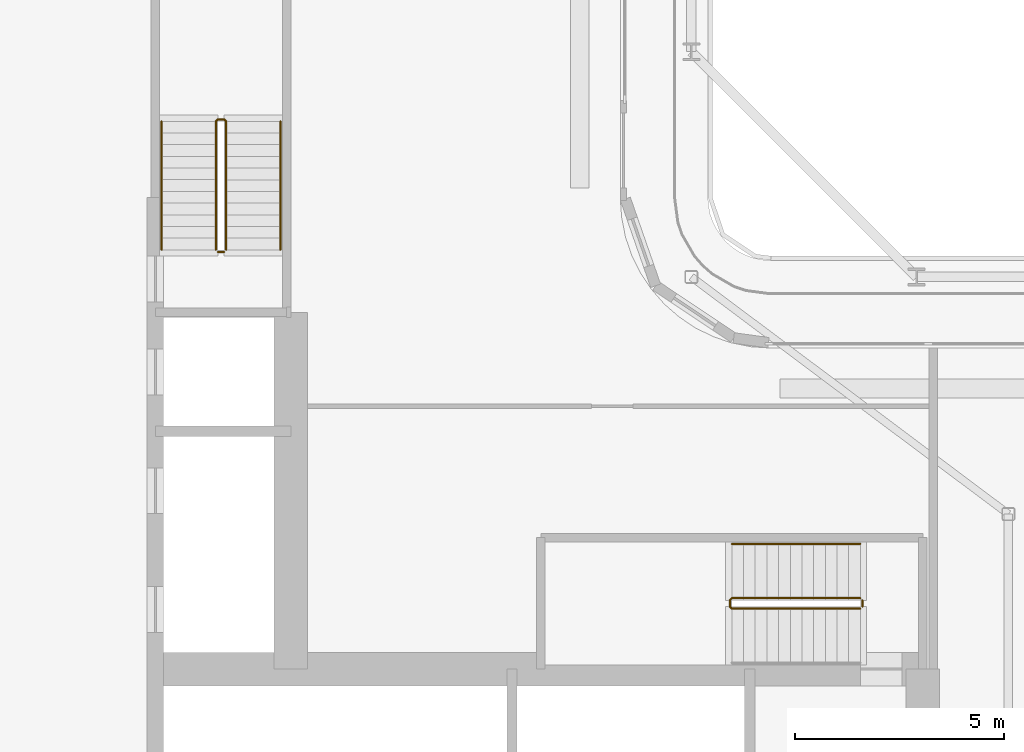
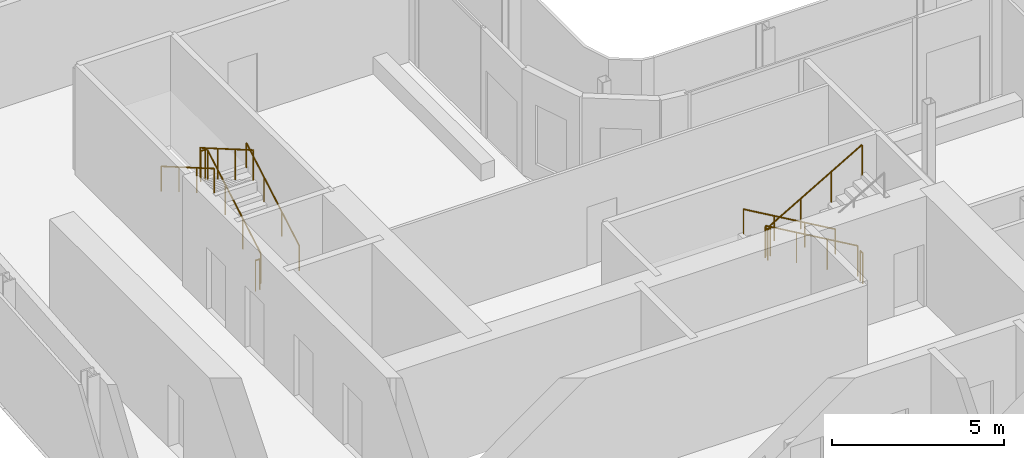
# One storey, part 24 of 29: 7 railings.
"""IFC4 building model written with IfcOpenShell, lengths in metres."""

from ifc_helpers import new_model, si_unit, direction, frame, origin, origin_2d, place, context, subcontext, project, spatial, circle, extrude, material, type_object, element, save


model = new_model("IFC4")

# Units and contexts
model_context = context("Model", 3, precision=1e-05, world=origin(), true_north=direction((0.0, 1.0)))
body_context = subcontext(model_context, "Body", "Model", "MODEL_VIEW")
ifc_project = project(units=[si_unit("LENGTHUNIT", "METRE"), si_unit("AREAUNIT", "SQUARE_METRE"), si_unit("VOLUMEUNIT", "CUBIC_METRE"), si_unit("PLANEANGLEUNIT", "RADIAN"), si_unit("MASSUNIT", "GRAM", prefix="KILO")], contexts=[model_context])

# Site, building, storey
site_placement = place(None, origin())
site = spatial("IfcSite", under=ifc_project, at=site_placement, CompositionType="ELEMENT")
building_placement = place(site_placement, origin())
building = spatial("IfcBuilding", under=site, at=building_placement, Name="Kheshtan School and Residences Tower", CompositionType="ELEMENT")
storey_placement = place(building_placement, frame((0.0, 0.0, 179.89990234375)))
storey = spatial("IfcBuildingStorey", under=building, at=storey_placement, Name="L42", CompositionType="ELEMENT", Elevation=179.89990234375)

# Railings
ifc_material_1 = material(Name="Stainless steel balustrade", Category="steel")
railing_type_1 = type_object("IfcRailingType", Name="Stair guard 1100", PredefinedType="GUARDRAIL", material=ifc_material_1)
railing_1_placement = place(storey_placement, frame((51.64990234375, 37.89990234375, 0.16259765625)))
element("IfcRailing", 1, at=railing_1_placement, inside=storey, type_object=railing_type_1, Name="L42 ST1 stair guard 1", PredefinedType="GUARDRAIL", context=body_context, shape_type="SweptSolid", body=[
    extrude(circle(Radius=0.02392578125, at=origin_2d()), frame((0.0, 0.0, 1.076171875), z_axis=(-0.864873446163, 0.0, 0.501989962173), x_axis=(0.0, -1.0, 0.0)), (0.0, 0.0, 1.0), 3.56103515625),
    extrude(circle(Radius=0.02392578125, at=origin_2d()), frame((-3.079833984375, 0.0, 2.86376953125), z_axis=(-0.708833529934, -0.705375805398, 0.0), x_axis=(0.705375805398, -0.708833529934, 0.0)), (0.0, 0.0, 1.0), 0.070556640625),
    extrude(circle(Radius=0.02392578125, at=origin_2d()), frame((-3.1298828125, -0.0498046875, 2.86376953125), z_axis=(0.0, -1.0, 0.0), x_axis=(1.0, 0.0, 0.0)), (0.0, 0.0, 1.0), 0.150146484375),
    extrude(circle(Radius=0.02392578125, at=origin_2d()), frame((-3.1298828125, -0.199951171875, 2.86376953125), z_axis=(0.282583949758, -0.282583949758, 0.916674763849), x_axis=(0.707106781187, 0.707106781187, 0.0)), (0.0, 0.0, 1.0), 0.177001953125),
    extrude(circle(Radius=0.02392578125, at=origin_2d()), frame((-3.079833984375, -0.25, 3.02587890625), z_axis=(0.864873446163, 0.0, 0.501989962173), x_axis=(0.0, 1.0, 0.0)), (0.0, 0.0, 1.0), 3.56103515625),
    extrude(circle(Radius=0.02099609375, at=origin_2d()), origin(), (0.0, 0.0, 1.0), 1.052001953125),
    extrude(circle(Radius=0.02099609375, at=origin_2d()), frame((-1.026611328125, 0.0, 0.595947265625)), (0.0, 0.0, 1.0), 1.052001953125),
    extrude(circle(Radius=0.02099609375, at=origin_2d()), frame((-2.05322265625, 0.0, 1.191650390625)), (0.0, 0.0, 1.0), 1.052001953125),
    extrude(circle(Radius=0.02099609375, at=origin_2d()), frame((-3.079833984375, 0.0, 1.78759765625)), (0.0, 0.0, 1.0), 1.052001953125),
    extrude(circle(Radius=0.02099609375, at=origin_2d()), frame((-3.1298828125, -0.0498046875, 1.78759765625)), (0.0, 0.0, 1.0), 1.052001953125),
    extrude(circle(Radius=0.02099609375, at=origin_2d()), frame((-3.1298828125, -0.199951171875, 1.78759765625)), (0.0, 0.0, 1.0), 1.052001953125),
    extrude(circle(Radius=0.02099609375, at=origin_2d()), frame((-3.079833984375, -0.25, 1.949951171875)), (0.0, 0.0, 1.0), 1.052001953125),
    extrude(circle(Radius=0.02099609375, at=origin_2d()), frame((-2.05322265625, -0.25, 2.5458984375)), (0.0, 0.0, 1.0), 1.052001953125),
    extrude(circle(Radius=0.02099609375, at=origin_2d()), frame((-1.026611328125, -0.25, 3.1416015625)), (0.0, 0.0, 1.0), 1.052001953125),
    extrude(circle(Radius=0.02099609375, at=origin_2d()), frame((0.0, -0.25, 3.737548828125)), (0.0, 0.0, 1.0), 1.052001953125),
])
railing_2_placement = place(storey_placement, frame((51.699951171875, 37.85009765625, 0.0)))
element("IfcRailing", 2, at=railing_2_placement, inside=storey, type_object=railing_type_1, Name="L42 ST1 stair guard 2", PredefinedType="GUARDRAIL", context=body_context, shape_type="SweptSolid", body=[
    extrude(circle(Radius=0.02392578125, at=origin_2d()), frame((0.0, 0.0, 1.076171875), z_axis=(0.0, -1.0, 0.0), x_axis=(1.0, 0.0, 0.0)), (0.0, 0.0, 1.0), 0.150146484375),
    extrude(circle(Radius=0.02099609375, at=origin_2d()), origin(), (0.0, 0.0, 1.0), 1.052001953125),
    extrude(circle(Radius=0.02099609375, at=origin_2d()), frame((0.0, -0.150146484375, 0.0)), (0.0, 0.0, 1.0), 1.052001953125),
])
railing_3_placement = place(storey_placement, frame((36.449951171875, 46.25, 0.16259765625)))
element("IfcRailing", 3, at=railing_3_placement, inside=storey, type_object=railing_type_1, Name="L42 ST2 stair guard 1", PredefinedType="GUARDRAIL", context=body_context, shape_type="SweptSolid", body=[
    extrude(circle(Radius=0.02392578125, at=origin_2d()), frame((0.0, 0.0, 1.076171875), z_axis=(0.0, 0.864890721111, 0.501960198159), x_axis=(-1.0, 0.0, 0.0)), (0.0, 0.0, 1.0), 3.561279296875),
    extrude(circle(Radius=0.02392578125, at=origin_2d()), frame((0.0, 3.080078125, 2.86376953125), z_axis=(-0.708833529934, 0.705375805398, 0.0), x_axis=(-0.705375805398, -0.708833529934, 0.0)), (0.0, 0.0, 1.0), 0.070556640625),
    extrude(circle(Radius=0.02392578125, at=origin_2d()), frame((-0.050048828125, 3.1298828125, 2.86376953125), z_axis=(-1.0, 0.0, 0.0), x_axis=(0.0, -1.0, 0.0)), (0.0, 0.0, 1.0), 0.14990234375),
    extrude(circle(Radius=0.02392578125, at=origin_2d()), frame((-0.199951171875, 3.1298828125, 2.86376953125), z_axis=(-0.282693820306, -0.281314826061, 0.917031173188), x_axis=(0.705375805398, -0.708833529934, 0.0)), (0.0, 0.0, 1.0), 0.177001953125),
    extrude(circle(Radius=0.02392578125, at=origin_2d()), frame((-0.25, 3.080078125, 3.02587890625), z_axis=(0.0, -0.864890721111, 0.501960198159), x_axis=(1.0, 0.0, 0.0)), (0.0, 0.0, 1.0), 3.561279296875),
    extrude(circle(Radius=0.02099609375, at=origin_2d()), origin(), (0.0, 0.0, 1.0), 1.052001953125),
    extrude(circle(Radius=0.02099609375, at=origin_2d()), frame((0.0, 1.026611328125, 0.595947265625)), (0.0, 0.0, 1.0), 1.052001953125),
    extrude(circle(Radius=0.02099609375, at=origin_2d()), frame((0.0, 2.053466796875, 1.191650390625)), (0.0, 0.0, 1.0), 1.052001953125),
    extrude(circle(Radius=0.02099609375, at=origin_2d()), frame((0.0, 3.080078125, 1.78759765625)), (0.0, 0.0, 1.0), 1.052001953125),
    extrude(circle(Radius=0.02099609375, at=origin_2d()), frame((-0.050048828125, 3.1298828125, 1.78759765625)), (0.0, 0.0, 1.0), 1.052001953125),
    extrude(circle(Radius=0.02099609375, at=origin_2d()), frame((-0.199951171875, 3.1298828125, 1.78759765625)), (0.0, 0.0, 1.0), 1.052001953125),
    extrude(circle(Radius=0.02099609375, at=origin_2d()), frame((-0.25, 3.080078125, 1.949951171875)), (0.0, 0.0, 1.0), 1.052001953125),
    extrude(circle(Radius=0.02099609375, at=origin_2d()), frame((-0.25, 2.053466796875, 2.5458984375)), (0.0, 0.0, 1.0), 1.052001953125),
    extrude(circle(Radius=0.02099609375, at=origin_2d()), frame((-0.25, 1.026611328125, 3.1416015625)), (0.0, 0.0, 1.0), 1.052001953125),
    extrude(circle(Radius=0.02099609375, at=origin_2d()), frame((-0.25, 0.0, 3.737548828125)), (0.0, 0.0, 1.0), 1.052001953125),
])
railing_4_placement = place(storey_placement, frame((36.39990234375, 46.199951171875, 0.0)))
element("IfcRailing", 4, at=railing_4_placement, inside=storey, type_object=railing_type_1, Name="L42 ST2 stair guard 2", PredefinedType="GUARDRAIL", context=body_context, shape_type="SweptSolid", body=[
    extrude(circle(Radius=0.02392578125, at=origin_2d()), frame((0.0, 0.0, 1.076171875), z_axis=(-1.0, 0.0, 0.0), x_axis=(0.0, -1.0, 0.0)), (0.0, 0.0, 1.0), 0.14990234375),
    extrude(circle(Radius=0.02099609375, at=origin_2d()), origin(), (0.0, 0.0, 1.0), 1.052001953125),
    extrude(circle(Radius=0.02099609375, at=origin_2d()), frame((-0.14990234375, 0.0, 0.0)), (0.0, 0.0, 1.0), 1.052001953125),
])
ifc_material_2 = material(Name="Stainless steel handrail", Category="steel")
railing_type_2 = type_object("IfcRailingType", Name="Stair handrail 900", PredefinedType="HANDRAIL", material=ifc_material_2)
railing_5_placement = place(storey_placement, frame((51.64990234375, 39.199951171875, 0.16259765625)))
element("IfcRailing", 5, at=railing_5_placement, inside=storey, type_object=railing_type_2, Name="L42 ST1 stair handrail 1", PredefinedType="HANDRAIL", context=body_context, shape_type="SweptSolid", body=[
    extrude(circle(Radius=0.02392578125, at=origin_2d()), frame((0.0, 0.0, 0.8759765625), z_axis=(-0.864873446163, 0.0, 0.501989962173), x_axis=(0.0, -1.0, 0.0)), (0.0, 0.0, 1.0), 3.56103515625),
    extrude(circle(Radius=0.02099609375, at=origin_2d()), origin(), (0.0, 0.0, 1.0), 0.851806640625),
    extrude(circle(Radius=0.02099609375, at=origin_2d()), frame((-1.026611328125, 0.0, 0.595947265625)), (0.0, 0.0, 1.0), 0.851806640625),
    extrude(circle(Radius=0.02099609375, at=origin_2d()), frame((-2.05322265625, 0.0, 1.191650390625)), (0.0, 0.0, 1.0), 0.851806640625),
    extrude(circle(Radius=0.02099609375, at=origin_2d()), frame((-3.079833984375, 0.0, 1.78759765625)), (0.0, 0.0, 1.0), 0.851806640625),
])
railing_6_placement = place(storey_placement, frame((37.75, 46.25, 0.16259765625)))
element("IfcRailing", 6, at=railing_6_placement, inside=storey, type_object=railing_type_2, Name="L42 ST2 stair handrail 1", PredefinedType="HANDRAIL", context=body_context, shape_type="SweptSolid", body=[
    extrude(circle(Radius=0.02392578125, at=origin_2d()), frame((0.0, 0.0, 0.8759765625), z_axis=(0.0, 0.864890721111, 0.501960198159), x_axis=(-1.0, 0.0, 0.0)), (0.0, 0.0, 1.0), 3.561279296875),
    extrude(circle(Radius=0.02099609375, at=origin_2d()), origin(), (0.0, 0.0, 1.0), 0.851806640625),
    extrude(circle(Radius=0.02099609375, at=origin_2d()), frame((0.0, 1.026611328125, 0.595947265625)), (0.0, 0.0, 1.0), 0.851806640625),
    extrude(circle(Radius=0.02099609375, at=origin_2d()), frame((0.0, 2.053466796875, 1.191650390625)), (0.0, 0.0, 1.0), 0.851806640625),
    extrude(circle(Radius=0.02099609375, at=origin_2d()), frame((0.0, 3.080078125, 1.78759765625)), (0.0, 0.0, 1.0), 0.851806640625),
])
railing_7_placement = place(storey_placement, frame((34.89990234375, 49.330078125, 2.112548828125)))
element("IfcRailing", 7, at=railing_7_placement, inside=storey, type_object=railing_type_2, Name="L42 ST2 stair handrail 2", PredefinedType="HANDRAIL", context=body_context, shape_type="SweptSolid", body=[
    extrude(circle(Radius=0.02392578125, at=origin_2d()), frame((0.0, 0.0, 0.8759765625), z_axis=(0.0, -0.864890721111, 0.501960198159), x_axis=(1.0, 0.0, 0.0)), (0.0, 0.0, 1.0), 3.561279296875),
    extrude(circle(Radius=0.02099609375, at=origin_2d()), origin(), (0.0, 0.0, 1.0), 0.851806640625),
    extrude(circle(Radius=0.02099609375, at=origin_2d()), frame((0.0, -1.026611328125, 0.595947265625)), (0.0, 0.0, 1.0), 0.851806640625),
    extrude(circle(Radius=0.02099609375, at=origin_2d()), frame((0.0, -2.053466796875, 1.191650390625)), (0.0, 0.0, 1.0), 0.851806640625),
    extrude(circle(Radius=0.02099609375, at=origin_2d()), frame((0.0, -3.080078125, 1.78759765625)), (0.0, 0.0, 1.0), 0.851806640625),
])

save(model, "model.ifc")
